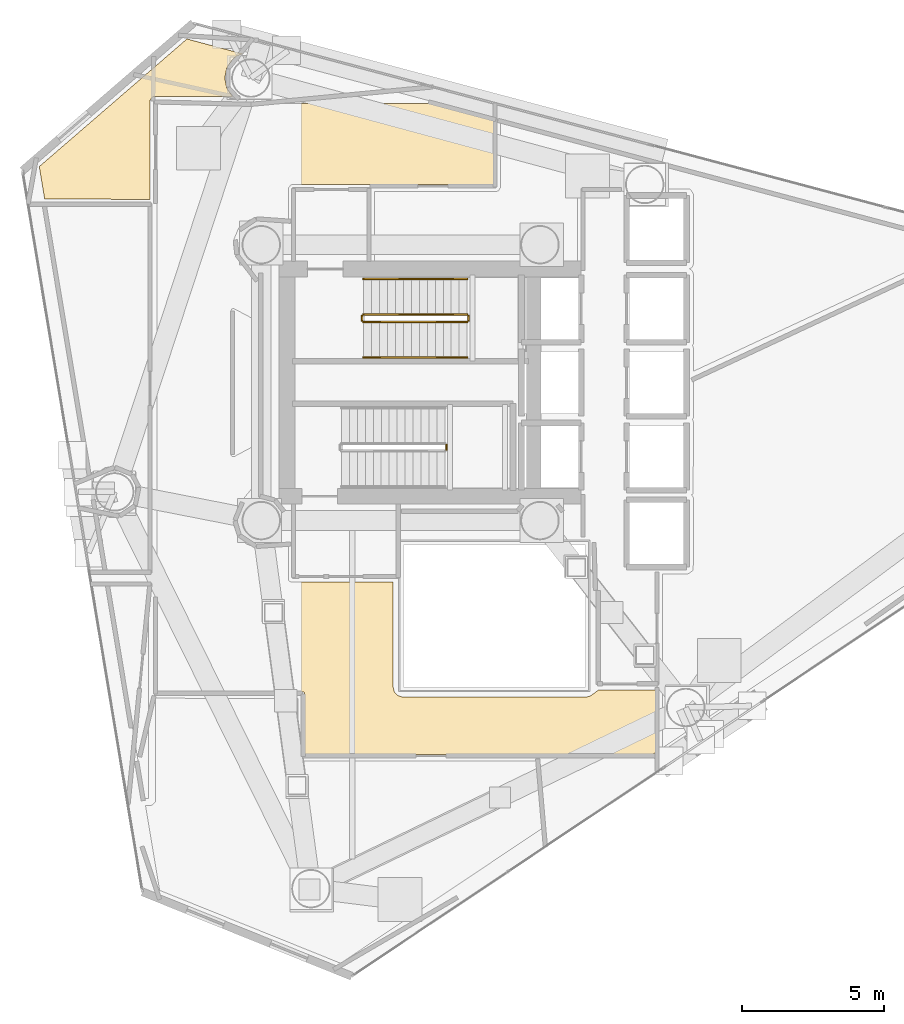
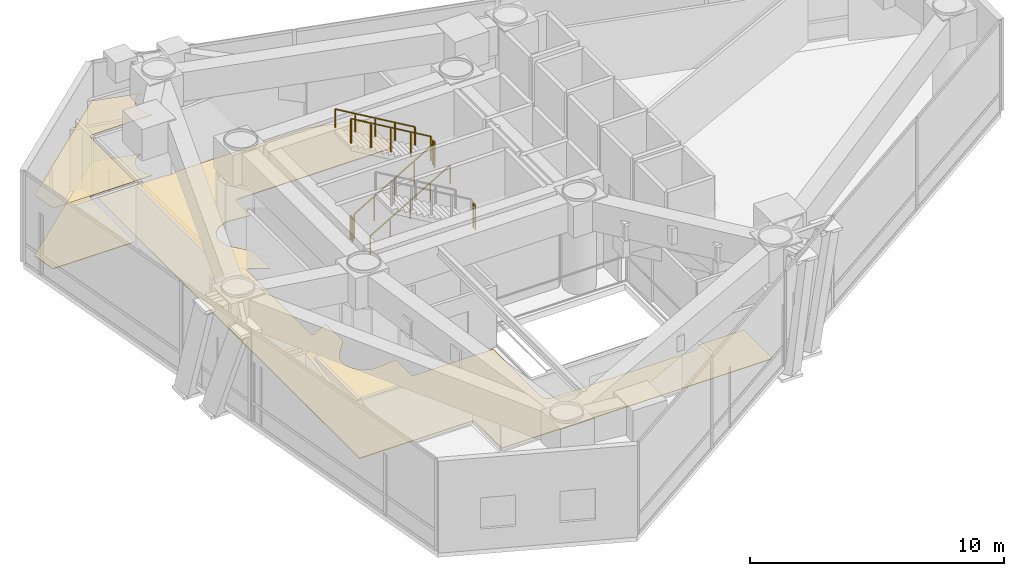
# One storey, part 21 of 22: 7 railings, 3 coverings.
"""IFC4 building model written with IfcOpenShell, lengths in metres."""

from ifc_helpers import new_model, si_unit, direction, frame, origin, origin_2d, place, context, subcontext, project, spatial, polyline, rectangle, outline, extrude, material, layer, layer_set, type_object, element, save


model = new_model("IFC4")

# Units and contexts
model_context = context("Model", 3, precision=1e-05, world=origin(), true_north=direction((0.0, 1.0)))
body_context = subcontext(model_context, "Body", "Model", "MODEL_VIEW")
ifc_project = project(units=[si_unit("LENGTHUNIT", "METRE"), si_unit("AREAUNIT", "SQUARE_METRE"), si_unit("VOLUMEUNIT", "CUBIC_METRE"), si_unit("PLANEANGLEUNIT", "RADIAN"), si_unit("MASSUNIT", "GRAM", prefix="KILO")], contexts=[model_context])

# Site, building, storey
site_placement = place(None, origin())
site = spatial("IfcSite", under=ifc_project, at=site_placement, CompositionType="ELEMENT")
building_placement = place(site_placement, origin())
building = spatial("IfcBuilding", under=site, at=building_placement, Name="Qianvela Tower", CompositionType="ELEMENT")
storey_placement = place(building_placement, frame((0.0, 0.0, 184.60009765625)))
storey = spatial("IfcBuildingStorey", under=building, at=storey_placement, Name="L47", CompositionType="ELEMENT", Elevation=184.60009765625)

# Coverings
ifc_material_1 = material(Name="Perforated Mineral Acoustic Ceiling Tile")
ifc_layer_1 = layer(ifc_material_1, 0.02490234375)
ifc_layer_set_1 = layer_set([ifc_layer_1], Name="Perforated Mineral Acoustic Ceiling Tile")
covering_type_1 = type_object("IfcCoveringType", Name="COV-CEIL-ACOUSTIC-25", PredefinedType="CEILING", material=ifc_layer_set_1)
covering_1_placement = place(storey_placement, frame((0.0, 0.0, 2.914794921875)))
element("IfcCovering", 1, at=covering_1_placement, inside=storey, type_object=covering_type_1, Name="L47 Acoustic Ceiling L47 Fire Refuge Area 3", PredefinedType="CEILING", context=body_context, shape_type="SweptSolid", body=[
    extrude(outline(polyline([(24.82666015625, 38.756591796875), (24.818359375, 38.756103515625), (24.810302734375, 38.7548828125), (24.80224609375, 38.752685546875), (24.79443359375, 38.749755859375), (24.787109375, 38.74609375), (24.7802734375, 38.74169921875), (24.773681640625, 38.736328125), (24.767822265625, 38.730712890625), (24.762451171875, 38.72412109375), (24.705810546875, 38.647705078125), (24.700927734375, 38.640625), (24.697021484375, 38.633056640625), (24.694091796875, 38.625), (24.69189453125, 38.616943359375), (24.6904296875, 38.6083984375), (24.68994140625, 38.60009765625), (24.68994140625, 35.142578125), (20.98486328125, 35.15869140625), (20.795654296875, 36.297119140625), (25.988037109375, 40.783203125), (27.942138671875, 40.2626953125), (27.740478515625, 40.17919921875), (27.7333984375, 40.17578125), (27.726806640625, 40.171875), (27.72021484375, 40.1669921875), (27.59375, 40.063232421875), (27.587890625, 40.05810546875), (27.582763671875, 40.05224609375), (27.577880859375, 40.0458984375), (27.39697265625, 39.77490234375), (27.39306640625, 39.768310546875), (27.3896484375, 39.76123046875), (27.386962890625, 39.75390625), (27.385009765625, 39.74609375), (27.321533203125, 39.426513671875), (27.3203125, 39.418701171875), (27.320068359375, 39.410888671875), (27.3203125, 39.4033203125), (27.321533203125, 39.3955078125), (27.385009765625, 39.075927734375), (27.386962890625, 39.068115234375), (27.3896484375, 39.060791015625), (27.39306640625, 39.0537109375), (27.39697265625, 39.047119140625), (27.577880859375, 38.776123046875), (27.582275390625, 38.7705078125), (27.5869140625, 38.764892578125), (27.59228515625, 38.760009765625), (27.5927734375, 38.759765625), (24.82666015625, 38.756591796875)])), origin(), (0.0, 0.0, 1.0), 0.025146484375),
])
ifc_material_2 = material(Name="Honed Stone Terrazzo Flooring", Category="masonry")
ifc_layer_2 = layer(ifc_material_2, 0.030029296875)
ifc_layer_set_2 = layer_set([ifc_layer_2], Name="Honed Stone Terrazzo Flooring")
covering_type_2 = type_object("IfcCoveringType", Name="COV-FLOOR-TERRAZZO-30", PredefinedType="FLOORING", material=ifc_layer_set_2)
covering_2_placement = place(storey_placement, origin())
element("IfcCovering", 2, at=covering_2_placement, inside=storey, type_object=covering_type_2, Name="L47 Finish Flooring L47 Mechanical Plant Corridor", PredefinedType="FLOORING", context=body_context, shape_type="SweptSolid", body=[
    extrude(outline(polyline([(27.9052734375, 24.53369140625), (27.900634765625, 24.52734375), (27.70654296875, 24.23681640625), (27.70263671875, 24.230224609375), (27.69921875, 24.22314453125), (27.696533203125, 24.2158203125), (27.694580078125, 24.2080078125), (27.62646484375, 23.865478515625), (27.62548828125, 23.85791015625), (27.625, 23.85009765625), (27.62548828125, 23.84228515625), (27.642578125, 23.66748046875), (27.643798828125, 23.659912109375), (27.6455078125, 23.652099609375), (27.648193359375, 23.644775390625), (27.781982421875, 23.322021484375), (27.785400390625, 23.315185546875), (27.789306640625, 23.308349609375), (27.7939453125, 23.302001953125), (27.79931640625, 23.296142578125), (28.046142578125, 23.04931640625), (28.052001953125, 23.0439453125), (28.058349609375, 23.039306640625), (28.065185546875, 23.035400390625), (28.072021484375, 23.031982421875), (28.394775390625, 22.898193359375), (28.402099609375, 22.8955078125), (28.409912109375, 22.893798828125), (28.41748046875, 22.892578125), (28.59228515625, 22.87548828125), (28.60009765625, 22.875), (28.60791015625, 22.87548828125), (29.55810546875, 22.968994140625), (29.55810546875, 21.780029296875), (29.558349609375, 21.772216796875), (29.5595703125, 21.764404296875), (29.561279296875, 21.7568359375), (29.564208984375, 21.74951171875), (29.5673828125, 21.7421875), (29.571533203125, 21.735595703125), (29.576171875, 21.729248046875), (29.581298828125, 21.723388671875), (29.587158203125, 21.71826171875), (29.593505859375, 21.71337890625), (29.600341796875, 21.70947265625), (29.607421875, 21.7060546875), (29.61474609375, 21.703369140625), (29.622314453125, 21.701416015625), (29.630126953125, 21.700439453125), (29.637939453125, 21.699951171875), (33.239990234375, 21.699951171875), (33.239990234375, 18.0), (33.240478515625, 17.990234375), (33.242431640625, 17.980712890625), (33.275390625, 17.8486328125), (33.277587890625, 17.841064453125), (33.28076171875, 17.833740234375), (33.284423828125, 17.826904296875), (33.288818359375, 17.8203125), (33.293701171875, 17.814208984375), (33.38525390625, 17.71337890625), (33.391357421875, 17.70751953125), (33.398193359375, 17.701904296875), (33.405517578125, 17.697509765625), (33.4130859375, 17.693603515625), (33.421142578125, 17.690673828125), (33.576904296875, 17.643310546875), (33.58447265625, 17.6416015625), (33.59228515625, 17.640380859375), (33.60009765625, 17.639892578125), (40.0, 17.639892578125), (40.006591796875, 17.640380859375), (40.012939453125, 17.64111328125), (40.019287109375, 17.642333984375), (40.1513671875, 17.675537109375), (40.15869140625, 17.677734375), (40.166015625, 17.6806640625), (40.172607421875, 17.68408203125), (40.17919921875, 17.6884765625), (40.45947265625, 17.89306640625), (42.469970703125, 17.899658203125), (42.469970703125, 15.701904296875), (42.362548828125, 15.6298828125), (30.1298828125, 15.6298828125), (30.1298828125, 17.75), (30.129638671875, 17.7578125), (30.12841796875, 17.765625), (30.126708984375, 17.773193359375), (30.123779296875, 17.780517578125), (30.12060546875, 17.78759765625), (30.116455078125, 17.79443359375), (30.11181640625, 17.80078125), (30.106689453125, 17.806640625), (30.100830078125, 17.811767578125), (30.094482421875, 17.81640625), (30.087646484375, 17.820556640625), (30.08056640625, 17.823974609375), (30.0732421875, 17.82666015625), (30.065673828125, 17.82861328125), (30.057861328125, 17.82958984375), (30.050048828125, 17.830078125), (24.929931640625, 17.830078125), (24.929931640625, 38.52001953125), (27.831787109375, 38.52001953125), (28.218505859375, 38.437744140625), (28.2265625, 38.436279296875), (28.235107421875, 38.43603515625), (28.243408203125, 38.436279296875), (28.251708984375, 38.437744140625), (28.63818359375, 38.52001953125), (34.485595703125, 38.52001953125), (36.77001953125, 37.91162109375), (36.77001953125, 35.659912109375), (29.68798828125, 35.660888671875), (29.68017578125, 35.660400390625), (29.67236328125, 35.6591796875), (29.664794921875, 35.657470703125), (29.6572265625, 35.65478515625), (29.650146484375, 35.6513671875), (29.6435546875, 35.647216796875), (29.63720703125, 35.642578125), (29.63134765625, 35.637451171875), (29.626220703125, 35.631591796875), (29.576171875, 35.57080078125), (29.571533203125, 35.564453125), (29.5673828125, 35.5576171875), (29.564208984375, 35.550537109375), (29.561279296875, 35.543212890625), (29.5595703125, 35.53564453125), (29.558349609375, 35.52783203125), (29.55810546875, 35.52001953125), (29.55810546875, 34.430908203125), (28.60791015625, 34.524658203125), (28.60009765625, 34.52490234375), (28.59228515625, 34.524658203125), (28.41748046875, 34.50732421875), (28.409912109375, 34.50634765625), (28.402099609375, 34.50439453125), (28.394775390625, 34.501708984375), (28.072021484375, 34.3681640625), (28.065185546875, 34.36474609375), (28.058349609375, 34.360595703125), (28.052001953125, 34.35595703125), (28.046142578125, 34.3505859375), (27.79931640625, 34.103759765625), (27.7939453125, 34.097900390625), (27.789306640625, 34.091796875), (27.785400390625, 34.0849609375), (27.781982421875, 34.077880859375), (27.648193359375, 33.755126953125), (27.6455078125, 33.747802734375), (27.643798828125, 33.740234375), (27.642578125, 33.732421875), (27.62548828125, 33.557861328125), (27.625, 33.550048828125), (27.62548828125, 33.542236328125), (27.62646484375, 33.534423828125), (27.694580078125, 33.19189453125), (27.696533203125, 33.184326171875), (27.69921875, 33.177001953125), (27.70263671875, 33.169921875), (27.785400390625, 33.01513671875), (27.789306640625, 33.00830078125), (27.7939453125, 33.001953125), (28.39990234375, 32.263671875), (28.39990234375, 30.898193359375), (27.65771484375, 31.295166015625), (27.650634765625, 31.298583984375), (27.643310546875, 31.301025390625), (27.635498046875, 31.302978515625), (27.627685546875, 31.30419921875), (27.6201171875, 31.304443359375), (27.6123046875, 31.30419921875), (27.6044921875, 31.302978515625), (27.5966796875, 31.301025390625), (27.58935546875, 31.298583984375), (27.582275390625, 31.295166015625), (27.57568359375, 31.291015625), (27.569091796875, 31.286376953125), (27.5634765625, 31.281005859375), (27.55810546875, 31.275390625), (27.553466796875, 31.26904296875), (27.54931640625, 31.26220703125), (27.546142578125, 31.255126953125), (27.54345703125, 31.247802734375), (27.54150390625, 31.239990234375), (27.540283203125, 31.232421875), (27.5400390625, 31.224609375), (27.5400390625, 26.175537109375), (27.540283203125, 26.16748046875), (27.54150390625, 26.159912109375), (27.54345703125, 26.152099609375), (27.546142578125, 26.144775390625), (27.54931640625, 26.1376953125), (27.553466796875, 26.131103515625), (27.55810546875, 26.124755859375), (27.5634765625, 26.118896484375), (27.569091796875, 26.113525390625), (27.57568359375, 26.10888671875), (27.582275390625, 26.10498046875), (27.58935546875, 26.1015625), (27.5966796875, 26.098876953125), (27.6044921875, 26.096923828125), (27.6123046875, 26.095703125), (27.6201171875, 26.095458984375), (27.627685546875, 26.095703125), (27.635498046875, 26.096923828125), (27.643310546875, 26.098876953125), (27.650634765625, 26.1015625), (27.65771484375, 26.10498046875), (28.39990234375, 26.501708984375), (28.39990234375, 25.136474609375), (27.9052734375, 24.53369140625)])), origin(), (0.0, 0.0, 1.0), 0.02978515625),
])
covering_3_placement = place(storey_placement, origin())
element("IfcCovering", 3, at=covering_3_placement, inside=storey, type_object=covering_type_2, Name="L47 Finish Flooring L47 Fire Refuge Area 3", PredefinedType="FLOORING", context=body_context, shape_type="SweptSolid", body=[
    extrude(outline(polyline([(24.82666015625, 38.756591796875), (24.818359375, 38.756103515625), (24.810302734375, 38.7548828125), (24.80224609375, 38.752685546875), (24.79443359375, 38.749755859375), (24.787109375, 38.74609375), (24.7802734375, 38.74169921875), (24.773681640625, 38.736328125), (24.767822265625, 38.730712890625), (24.762451171875, 38.72412109375), (24.705810546875, 38.647705078125), (24.700927734375, 38.640625), (24.697021484375, 38.633056640625), (24.694091796875, 38.625), (24.69189453125, 38.616943359375), (24.6904296875, 38.6083984375), (24.68994140625, 38.60009765625), (24.68994140625, 35.142578125), (20.98486328125, 35.15869140625), (20.795654296875, 36.297119140625), (25.988037109375, 40.783203125), (27.942138671875, 40.2626953125), (27.740478515625, 40.17919921875), (27.7333984375, 40.17578125), (27.726806640625, 40.171875), (27.72021484375, 40.1669921875), (27.59375, 40.063232421875), (27.587890625, 40.05810546875), (27.582763671875, 40.05224609375), (27.577880859375, 40.0458984375), (27.39697265625, 39.77490234375), (27.39306640625, 39.768310546875), (27.3896484375, 39.76123046875), (27.386962890625, 39.75390625), (27.385009765625, 39.74609375), (27.321533203125, 39.426513671875), (27.3203125, 39.418701171875), (27.320068359375, 39.410888671875), (27.3203125, 39.4033203125), (27.321533203125, 39.3955078125), (27.385009765625, 39.075927734375), (27.386962890625, 39.068115234375), (27.3896484375, 39.060791015625), (27.39306640625, 39.0537109375), (27.39697265625, 39.047119140625), (27.577880859375, 38.776123046875), (27.582275390625, 38.7705078125), (27.5869140625, 38.764892578125), (27.59228515625, 38.760009765625), (27.5927734375, 38.759765625), (24.82666015625, 38.756591796875)])), origin(), (0.0, 0.0, 1.0), 0.02978515625),
])

# Railings
ifc_material_3 = material(Name="Painted Tubular Steel Q355B", Category="steel")
railing_type_1 = type_object("IfcRailingType", Name="RL-STAIR-GUARD-1200", PredefinedType="GUARDRAIL", material=ifc_material_3)
railing_1_placement = place(storey_placement, frame((32.199951171875, 30.840087890625, 0.164306640625)))
element("IfcRailing", 4, at=railing_1_placement, inside=storey, type_object=railing_type_1, Name="L47 ST-1 stair guard 1", PredefinedType="GUARDRAIL", context=body_context, shape_type="SweptSolid", body=[
    extrude(rectangle(XDim=0.050048828125, YDim=0.0400390625, at=origin_2d()), frame((0.0, 0.0, 1.179931640625), z_axis=(0.862529955373, 0.0, 0.506006004), x_axis=(0.0, 1.0, 0.0)), (0.0, 0.0, 1.0), 4.22021484375),
    extrude(rectangle(XDim=0.050048828125, YDim=0.050048828125, at=origin_2d()), origin(), (0.0, 0.0, 1.0), 1.159912109375),
    extrude(rectangle(XDim=0.050048828125, YDim=0.050048828125, at=origin_2d()), frame((0.91015625, 0.0, 0.533935546875)), (0.0, 0.0, 1.0), 1.159912109375),
    extrude(rectangle(XDim=0.050048828125, YDim=0.050048828125, at=origin_2d()), frame((1.820068359375, 0.0, 1.06787109375)), (0.0, 0.0, 1.0), 1.159912109375),
    extrude(rectangle(XDim=0.050048828125, YDim=0.050048828125, at=origin_2d()), frame((2.72998046875, 0.0, 1.6015625)), (0.0, 0.0, 1.0), 1.159912109375),
    extrude(rectangle(XDim=0.050048828125, YDim=0.050048828125, at=origin_2d()), frame((3.64013671875, 0.0, 2.135498046875)), (0.0, 0.0, 1.0), 1.159912109375),
])
railing_2_placement = place(storey_placement, frame((35.889892578125, 30.889892578125, 2.2998046875)))
element("IfcRailing", 5, at=railing_2_placement, inside=storey, type_object=railing_type_1, Name="L47 ST-1 stair guard 2", PredefinedType="GUARDRAIL", context=body_context, shape_type="SweptSolid", body=[
    extrude(rectangle(XDim=0.050048828125, YDim=0.0400390625, at=origin_2d()), frame((0.0, 0.0, 1.179931640625), z_axis=(0.0, 1.0, 0.0), x_axis=(-1.0, 0.0, 0.0)), (0.0, 0.0, 1.0), 0.16015625),
    extrude(rectangle(XDim=0.050048828125, YDim=0.050048828125, at=origin_2d()), origin(), (0.0, 0.0, 1.0), 1.159912109375),
    extrude(rectangle(XDim=0.050048828125, YDim=0.050048828125, at=origin_2d()), frame((0.0, 0.16015625, 0.0)), (0.0, 0.0, 1.0), 1.159912109375),
])
railing_3_placement = place(storey_placement, frame((35.840087890625, 31.10009765625, 2.464111328125)))
element("IfcRailing", 6, at=railing_3_placement, inside=storey, type_object=railing_type_1, Name="L47 ST-1 stair guard 3", PredefinedType="GUARDRAIL", context=body_context, shape_type="SweptSolid", body=[
    extrude(rectangle(XDim=0.050048828125, YDim=0.0400390625, at=origin_2d()), frame((0.0, 0.0, 1.179931640625), z_axis=(-0.862504707072, 0.0, 0.506049039401), x_axis=(0.0, -1.0, 0.0)), (0.0, 0.0, 1.0), 4.220458984375),
    extrude(rectangle(XDim=0.050048828125, YDim=0.050048828125, at=origin_2d()), origin(), (0.0, 0.0, 1.0), 1.159912109375),
    extrude(rectangle(XDim=0.050048828125, YDim=0.050048828125, at=origin_2d()), frame((-0.91015625, 0.0, 0.533935546875)), (0.0, 0.0, 1.0), 1.159912109375),
    extrude(rectangle(XDim=0.050048828125, YDim=0.050048828125, at=origin_2d()), frame((-1.820068359375, 0.0, 1.06787109375)), (0.0, 0.0, 1.0), 1.159912109375),
    extrude(rectangle(XDim=0.050048828125, YDim=0.050048828125, at=origin_2d()), frame((-2.72998046875, 0.0, 1.601806640625)), (0.0, 0.0, 1.0), 1.159912109375),
    extrude(rectangle(XDim=0.050048828125, YDim=0.050048828125, at=origin_2d()), frame((-3.64013671875, 0.0, 2.1357421875)), (0.0, 0.0, 1.0), 1.159912109375),
])
railing_4_placement = place(storey_placement, frame((32.14990234375, 30.889892578125, 0.0)))
element("IfcRailing", 7, at=railing_4_placement, inside=storey, type_object=railing_type_1, Name="L47 ST-1 stair guard 4", PredefinedType="GUARDRAIL", context=body_context, shape_type="SweptSolid", body=[
    extrude(rectangle(XDim=0.050048828125, YDim=0.0400390625, at=origin_2d()), frame((0.0, 0.0, 1.179931640625), z_axis=(0.0, 1.0, 0.0), x_axis=(-1.0, 0.0, 0.0)), (0.0, 0.0, 1.0), 0.16015625),
    extrude(rectangle(XDim=0.050048828125, YDim=0.050048828125, at=origin_2d()), origin(), (0.0, 0.0, 1.0), 1.159912109375),
    extrude(rectangle(XDim=0.050048828125, YDim=0.050048828125, at=origin_2d()), frame((0.0, 0.16015625, 0.0)), (0.0, 0.0, 1.0), 1.159912109375),
])
railing_5_placement = place(storey_placement, frame((35.110107421875, 26.35009765625, 2.2998046875)))
element("IfcRailing", 8, at=railing_5_placement, inside=storey, type_object=railing_type_1, Name="L47 ST-2 stair guard 2", PredefinedType="GUARDRAIL", context=body_context, shape_type="SweptSolid", body=[
    extrude(rectangle(XDim=0.050048828125, YDim=0.0400390625, at=origin_2d()), frame((0.0, 0.0, 1.179931640625), z_axis=(0.0, 1.0, 0.0), x_axis=(-1.0, 0.0, 0.0)), (0.0, 0.0, 1.0), 0.159912109375),
    extrude(rectangle(XDim=0.050048828125, YDim=0.050048828125, at=origin_2d()), origin(), (0.0, 0.0, 1.0), 1.159912109375),
    extrude(rectangle(XDim=0.050048828125, YDim=0.050048828125, at=origin_2d()), frame((0.0, 0.159912109375, 0.0)), (0.0, 0.0, 1.0), 1.159912109375),
])
ifc_material_4 = material(Name="Brushed Stainless Steel 304", Category="steel")
railing_type_2 = type_object("IfcRailingType", Name="RL-STAIR-HANDRAIL-900", PredefinedType="HANDRAIL", material=ifc_material_4)
railing_6_placement = place(storey_placement, frame((32.199951171875, 29.590087890625, 0.164306640625)))
element("IfcRailing", 9, at=railing_6_placement, inside=storey, type_object=railing_type_2, Name="L47 ST-1 stair handrail 1", PredefinedType="HANDRAIL", context=body_context, shape_type="SweptSolid", body=[
    extrude(rectangle(XDim=0.050048828125, YDim=0.0400390625, at=origin_2d()), frame((0.0, 0.0, 0.8798828125), z_axis=(0.862529955373, 0.0, 0.506006004), x_axis=(0.0, 1.0, 0.0)), (0.0, 0.0, 1.0), 4.22021484375),
    extrude(rectangle(XDim=0.050048828125, YDim=0.050048828125, at=origin_2d()), origin(), (0.0, 0.0, 1.0), 0.85986328125),
    extrude(rectangle(XDim=0.050048828125, YDim=0.050048828125, at=origin_2d()), frame((0.91015625, 0.0, 0.533935546875)), (0.0, 0.0, 1.0), 0.85986328125),
    extrude(rectangle(XDim=0.050048828125, YDim=0.050048828125, at=origin_2d()), frame((1.820068359375, 0.0, 1.06787109375)), (0.0, 0.0, 1.0), 0.85986328125),
    extrude(rectangle(XDim=0.050048828125, YDim=0.050048828125, at=origin_2d()), frame((2.72998046875, 0.0, 1.6015625)), (0.0, 0.0, 1.0), 0.85986328125),
    extrude(rectangle(XDim=0.050048828125, YDim=0.050048828125, at=origin_2d()), frame((3.64013671875, 0.0, 2.135498046875)), (0.0, 0.0, 1.0), 0.85986328125),
])
railing_7_placement = place(storey_placement, frame((35.840087890625, 32.35009765625, 2.464111328125)))
element("IfcRailing", 10, at=railing_7_placement, inside=storey, type_object=railing_type_2, Name="L47 ST-1 stair handrail 2", PredefinedType="HANDRAIL", context=body_context, shape_type="SweptSolid", body=[
    extrude(rectangle(XDim=0.050048828125, YDim=0.0400390625, at=origin_2d()), frame((0.0, 0.0, 0.8798828125), z_axis=(-0.862504707072, 0.0, 0.506049039401), x_axis=(0.0, -1.0, 0.0)), (0.0, 0.0, 1.0), 4.220458984375),
    extrude(rectangle(XDim=0.050048828125, YDim=0.050048828125, at=origin_2d()), origin(), (0.0, 0.0, 1.0), 0.85986328125),
    extrude(rectangle(XDim=0.050048828125, YDim=0.050048828125, at=origin_2d()), frame((-0.91015625, 0.0, 0.533935546875)), (0.0, 0.0, 1.0), 0.85986328125),
    extrude(rectangle(XDim=0.050048828125, YDim=0.050048828125, at=origin_2d()), frame((-1.820068359375, 0.0, 1.06787109375)), (0.0, 0.0, 1.0), 0.85986328125),
    extrude(rectangle(XDim=0.050048828125, YDim=0.050048828125, at=origin_2d()), frame((-2.72998046875, 0.0, 1.601806640625)), (0.0, 0.0, 1.0), 0.85986328125),
    extrude(rectangle(XDim=0.050048828125, YDim=0.050048828125, at=origin_2d()), frame((-3.64013671875, 0.0, 2.1357421875)), (0.0, 0.0, 1.0), 0.85986328125),
])

save(model, "model.ifc")
